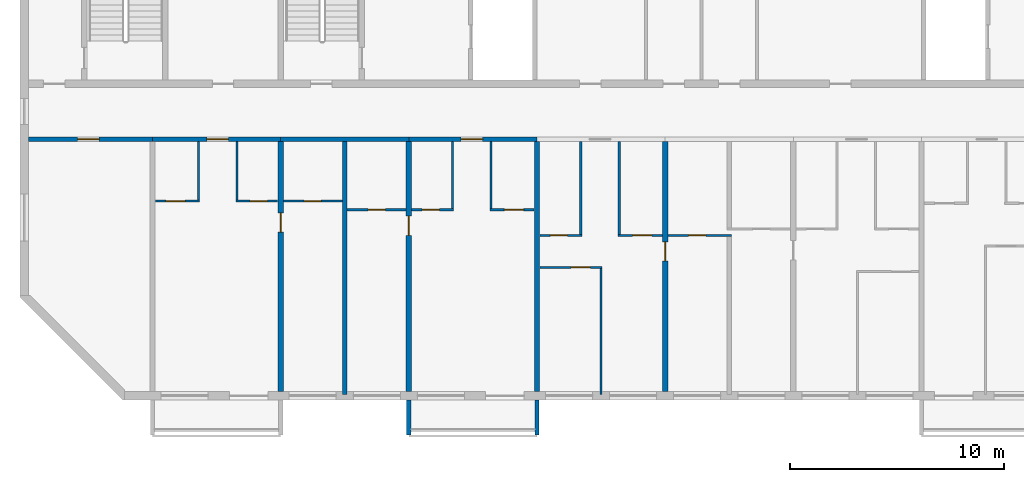
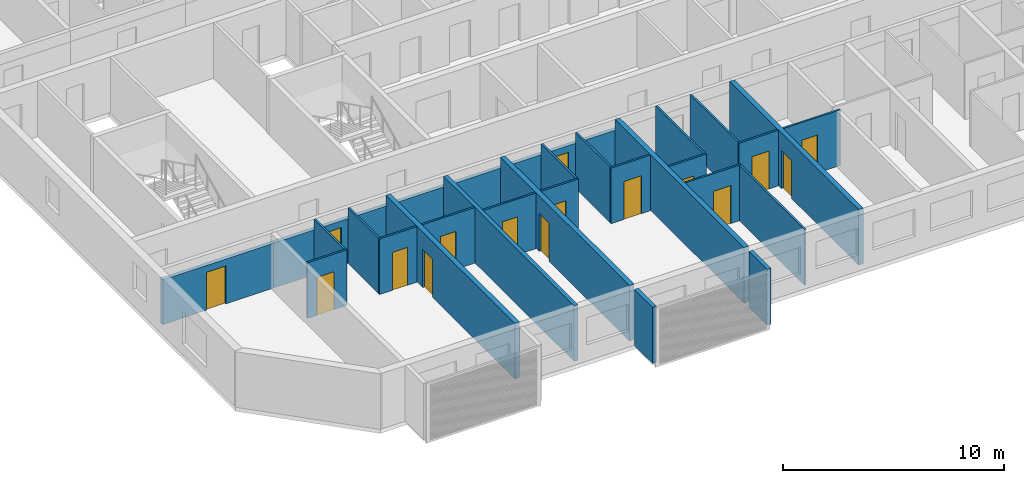
# One storey, part 2 of 26: 28 walls, 16 doors, 16 openings.
"""IFC4 building model written with IfcOpenShell, lengths in metres."""

from ifc_helpers import new_model, si_unit, direction, frame, frame_2d, origin, place, context, subcontext, project, spatial, polyline, rectangle, outline, extrude, source, transform, mapped, material, layer, layer_set, type_object, element, fill, save


model = new_model("IFC4")

# Units and contexts
model_context = context("Model", 3, precision=1e-05, world=origin(), true_north=direction((0.0, 1.0)))
body_context = subcontext(model_context, "Body", "Model", "MODEL_VIEW")
ifc_project = project(units=[si_unit("LENGTHUNIT", "METRE"), si_unit("AREAUNIT", "SQUARE_METRE"), si_unit("VOLUMEUNIT", "CUBIC_METRE"), si_unit("PLANEANGLEUNIT", "RADIAN"), si_unit("MASSUNIT", "GRAM", prefix="KILO")], contexts=[model_context])

# Site, building, storey
site_placement = place(None, origin())
site = spatial("IfcSite", under=ifc_project, at=site_placement, CompositionType="ELEMENT")
building_placement = place(site_placement, origin())
building = spatial("IfcBuilding", under=site, at=building_placement, Name="Poui Terraces", CompositionType="ELEMENT")
storey_placement = place(building_placement, frame((0.0, 0.0, 247.800048828125)))
storey = spatial("IfcBuildingStorey", under=building, at=storey_placement, Name="L69", CompositionType="ELEMENT", Elevation=247.800048828125)

# Wall, opening, door
ifc_material_1 = material(Name="Concrete 50 MPa", Category="concrete")
ifc_layer_1 = layer(ifc_material_1, 0.199951171875)
ifc_layer_set_1 = layer_set([ifc_layer_1], Name="Concrete 50 MPa")
wall_type_1 = type_object("IfcWallType", Name="CORRIDOR WALL 200 50MPa", PredefinedType="SHEAR", material=ifc_layer_set_1)
wall_1_placement = place(storey_placement, frame((18.199951171875, 12.0, 0.0), z_axis=(0.0, 0.0, 1.0), x_axis=(1.0, 0.0, 0.0)))
wall_1 = element("IfcWall", 1, at=wall_1_placement, inside=storey, type_object=wall_type_1, Name="CORRIDOR WALL LINE B BAY 1", PredefinedType="SHEAR", context=body_context, shape_type="SweptSolid", body=[
    extrude(rectangle(XDim=5.800048828125, YDim=0.199951171875, at=frame_2d((2.89990234375, 0.0))), origin(), (0.0, 0.0, 1.0), 2.47998046875),
])
opening_1_placement = place(wall_1_placement, frame((2.300048828125, 0.0, 0.0)))
opening_1 = element("IfcOpeningElement", 2, at=opening_1_placement, cuts=wall_1, Name="Opening D100", PredefinedType="OPENING", context=body_context, shape_type="SweptSolid", body=[
    extrude(rectangle(XDim=1.0, YDim=2.10009765625, at=frame_2d((0.5, 1.050048828125))), frame((0.0, 0.10986328125, 0.0), z_axis=(0.0, -1.0, 0.0), x_axis=(1.0, 0.0, 0.0)), (0.0, 0.0, 1.0), 0.219970703125),
])
ifc_material_2 = material(Name="Solid core timber door", Category="wood")
door_type_1 = type_object("IfcDoorType", Name="ACCESSIBLE INTERNAL DOOR 1000 X 2100", OperationType="NOTDEFINED", PredefinedType="DOOR", material=ifc_material_2)
door_1_placement = place(opening_1_placement, frame((1.0, 0.0, 0.0), z_axis=(0.0, 0.0, 1.0), x_axis=(-1.0, 0.0, 0.0)))
door_1 = element("IfcDoor", 3, at=door_1_placement, inside=storey, type_object=door_type_1, Name="ACCESSIBLE INTERNAL DOOR 061", OperationType="SINGLE_SWING_RIGHT", OverallHeight=2.10009765625, OverallWidth=1.0, PredefinedType="DOOR", context=body_context, shape_type="SweptSolid", body=[
    extrude(rectangle(XDim=1.0, YDim=2.10009765625, at=frame_2d((0.5, 1.050048828125))), frame((0.0, 0.02490234375, 0.0), z_axis=(0.0, -1.0, 0.0), x_axis=(1.0, 0.0, 0.0)), (0.0, 0.0, 1.0), 0.050048828125),
])
fill(opening_1, door_1)

wall_2_placement = place(storey_placement, frame((24.0, 12.0, 0.0), z_axis=(0.0, 0.0, 1.0), x_axis=(1.0, 0.0, 0.0)))
wall_2 = element("IfcWall", 4, at=wall_2_placement, inside=storey, type_object=wall_type_1, Name="CORRIDOR WALL LINE B BAY 2", PredefinedType="SHEAR", context=body_context, shape_type="SweptSolid", body=[
    extrude(rectangle(XDim=6.0, YDim=0.199951171875, at=frame_2d((3.0, 0.0))), origin(), (0.0, 0.0, 1.0), 2.47998046875),
])
opening_2_placement = place(wall_2_placement, frame((2.550048828125, 0.0, 0.0)))
opening_2 = element("IfcOpeningElement", 5, at=opening_2_placement, cuts=wall_2, Name="Opening FD30S", PredefinedType="OPENING", context=body_context, shape_type="SweptSolid", body=[
    extrude(rectangle(XDim=1.0, YDim=2.10009765625, at=frame_2d((0.5, 1.050048828125))), frame((0.0, 0.10986328125, 0.0), z_axis=(0.0, -1.0, 0.0), x_axis=(1.0, 0.0, 0.0)), (0.0, 0.0, 1.0), 0.219970703125),
])
ifc_material_3 = material(Name="Steel fire door", Category="steel")
door_type_2 = type_object("IfcDoorType", Name="FLAT ENTRANCE DOOR 1000 X 2100", OperationType="NOTDEFINED", PredefinedType="DOOR", material=ifc_material_3)
door_2_placement = place(opening_2_placement, frame((1.0, 0.0, 0.0), z_axis=(0.0, 0.0, 1.0), x_axis=(-1.0, 0.0, 0.0)))
door_2 = element("IfcDoor", 6, at=door_2_placement, inside=storey, type_object=door_type_2, Name="FLAT ENTRANCE DOOR 064", OperationType="SINGLE_SWING_LEFT", OverallHeight=2.10009765625, OverallWidth=1.0, PredefinedType="DOOR", context=body_context, shape_type="SweptSolid", body=[
    extrude(rectangle(XDim=1.0, YDim=2.10009765625, at=frame_2d((0.5, 1.050048828125))), frame((0.0, 0.02490234375, 0.0), z_axis=(0.0, -1.0, 0.0), x_axis=(1.0, 0.0, 0.0)), (0.0, 0.0, 1.0), 0.050048828125),
])
fill(opening_2, door_2)

# Wall
wall_3_placement = place(storey_placement, frame((30.0, 12.0, 0.0), z_axis=(0.0, 0.0, 1.0), x_axis=(1.0, 0.0, 0.0)))
element("IfcWall", 7, at=wall_3_placement, inside=storey, type_object=wall_type_1, Name="CORRIDOR WALL LINE B BAY 3", PredefinedType="SHEAR", context=body_context, shape_type="SweptSolid", body=[
    extrude(rectangle(XDim=6.0, YDim=0.199951171875, at=frame_2d((3.0, 0.0))), origin(), (0.0, 0.0, 1.0), 2.47998046875),
])

# Wall, opening, door
wall_4_placement = place(storey_placement, frame((36.0, 12.0, 0.0), z_axis=(0.0, 0.0, 1.0), x_axis=(1.0, 0.0, 0.0)))
wall_4 = element("IfcWall", 8, at=wall_4_placement, inside=storey, type_object=wall_type_1, Name="CORRIDOR WALL LINE B BAY 4", PredefinedType="SHEAR", context=body_context, shape_type="SweptSolid", body=[
    extrude(rectangle(XDim=6.0, YDim=0.199951171875, at=frame_2d((3.0, 0.0))), origin(), (0.0, 0.0, 1.0), 2.47998046875),
])
opening_3_placement = place(wall_4_placement, frame((2.449951171875, 0.0, 0.0)))
opening_3 = element("IfcOpeningElement", 9, at=opening_3_placement, cuts=wall_4, Name="Opening FD30S", PredefinedType="OPENING", context=body_context, shape_type="SweptSolid", body=[
    extrude(rectangle(XDim=1.0, YDim=2.10009765625, at=frame_2d((0.5, 1.050048828125))), frame((0.0, 0.10986328125, 0.0), z_axis=(0.0, -1.0, 0.0), x_axis=(1.0, 0.0, 0.0)), (0.0, 0.0, 1.0), 0.219970703125),
])
door_3_placement = place(opening_3_placement, frame((1.0, 0.0, 0.0), z_axis=(0.0, 0.0, 1.0), x_axis=(-1.0, 0.0, 0.0)))
door_3 = element("IfcDoor", 10, at=door_3_placement, inside=storey, type_object=door_type_2, Name="FLAT ENTRANCE DOOR 070", OperationType="SINGLE_SWING_RIGHT", OverallHeight=2.10009765625, OverallWidth=1.0, PredefinedType="DOOR", context=body_context, shape_type="SweptSolid", body=[
    extrude(rectangle(XDim=1.0, YDim=2.10009765625, at=frame_2d((0.5, 1.050048828125))), frame((0.0, 0.02490234375, 0.0), z_axis=(0.0, -1.0, 0.0), x_axis=(1.0, 0.0, 0.0)), (0.0, 0.0, 1.0), 0.050048828125),
])
fill(opening_3, door_3)

ifc_layer_2 = layer(ifc_material_1, 0.25)
ifc_layer_set_2 = layer_set([ifc_layer_2], Name="Concrete 50 MPa")
wall_type_2 = type_object("IfcWallType", Name="CROSS WALL 250 50MPa", PredefinedType="SHEAR", material=ifc_layer_set_2)
wall_5_placement = place(storey_placement, frame((30.0, 0.199951171875, 0.0), z_axis=(0.0, 0.0, 1.0), x_axis=(0.0, 1.0, 0.0)))
wall_5 = element("IfcWall", 11, at=wall_5_placement, inside=storey, type_object=wall_type_2, Name="CROSS WALL LINE 6 SOUTH", PredefinedType="SHEAR", context=body_context, shape_type="SweptSolid", body=[
    extrude(rectangle(XDim=11.699951171875, YDim=0.25, at=frame_2d((5.85009765625, 0.0))), origin(), (0.0, 0.0, 1.0), 3.079833984375),
])
opening_4_placement = place(wall_5_placement, frame((7.449951171875, 0.0, 0.0)))
opening_4 = element("IfcOpeningElement", 12, at=opening_4_placement, cuts=wall_5, Name="Opening D90", PredefinedType="OPENING", context=body_context, shape_type="SweptSolid", body=[
    extrude(rectangle(XDim=0.89990234375, YDim=2.10009765625, at=frame_2d((0.449951171875, 1.050048828125))), frame((0.0, 0.135009765625, 0.0), z_axis=(0.0, -1.0, 0.0), x_axis=(1.0, 0.0, 0.0)), (0.0, 0.0, 1.0), 0.27001953125),
])
door_type_3 = type_object("IfcDoorType", Name="INTERNAL DOOR 900 X 2100", OperationType="NOTDEFINED", PredefinedType="DOOR", material=ifc_material_2)
door_4_placement = place(opening_4_placement, frame((0.89990234375, 0.0, 0.0), z_axis=(0.0, 0.0, 1.0), x_axis=(-1.0, 0.0, 0.0)))
door_4 = element("IfcDoor", 13, at=door_4_placement, inside=storey, type_object=door_type_3, Name="INTERNAL DOOR 066", OperationType="SINGLE_SWING_LEFT", OverallHeight=2.10009765625, OverallWidth=0.89990234375, PredefinedType="DOOR", context=body_context, shape_type="SweptSolid", body=[
    extrude(rectangle(XDim=0.89990234375, YDim=2.10009765625, at=frame_2d((0.449951171875, 1.050048828125))), frame((0.0, 0.02490234375, 0.0), z_axis=(0.0, -1.0, 0.0), x_axis=(1.0, 0.0, 0.0)), (0.0, 0.0, 1.0), 0.050048828125),
])
fill(opening_4, door_4)

wall_6_placement = place(storey_placement, frame((36.0, 0.199951171875, 0.0), z_axis=(0.0, 0.0, 1.0), x_axis=(0.0, 1.0, 0.0)))
wall_6 = element("IfcWall", 14, at=wall_6_placement, inside=storey, type_object=wall_type_2, Name="CROSS WALL LINE 7 SOUTH", PredefinedType="SHEAR", context=body_context, shape_type="SweptSolid", body=[
    extrude(rectangle(XDim=11.699951171875, YDim=0.25, at=frame_2d((5.85009765625, 0.0))), origin(), (0.0, 0.0, 1.0), 3.079833984375),
])
opening_5_placement = place(wall_6_placement, frame((7.300048828125, 0.0, 0.0)))
opening_5 = element("IfcOpeningElement", 15, at=opening_5_placement, cuts=wall_6, Name="Opening D90", PredefinedType="OPENING", context=body_context, shape_type="SweptSolid", body=[
    extrude(rectangle(XDim=0.89990234375, YDim=2.10009765625, at=frame_2d((0.449951171875, 1.050048828125))), frame((0.0, 0.135009765625, 0.0), z_axis=(0.0, -1.0, 0.0), x_axis=(1.0, 0.0, 0.0)), (0.0, 0.0, 1.0), 0.27001953125),
])
door_5_placement = place(opening_5_placement, origin())
door_5 = element("IfcDoor", 16, at=door_5_placement, inside=storey, type_object=door_type_3, Name="INTERNAL DOOR 068", OperationType="SINGLE_SWING_RIGHT", OverallHeight=2.10009765625, OverallWidth=0.89990234375, PredefinedType="DOOR", context=body_context, shape_type="SweptSolid", body=[
    extrude(rectangle(XDim=0.89990234375, YDim=2.10009765625, at=frame_2d((0.449951171875, 1.050048828125))), frame((0.0, 0.02490234375, 0.0), z_axis=(0.0, -1.0, 0.0), x_axis=(1.0, 0.0, 0.0)), (0.0, 0.0, 1.0), 0.050048828125),
])
fill(opening_5, door_5)

# Wall
wall_7_placement = place(storey_placement, frame((42.0, 0.199951171875, 0.0), z_axis=(0.0, 0.0, 1.0), x_axis=(0.0, 1.0, 0.0)))
element("IfcWall", 17, at=wall_7_placement, inside=storey, type_object=wall_type_2, Name="CROSS WALL LINE 8 SOUTH", PredefinedType="SHEAR", context=body_context, shape_type="SweptSolid", body=[
    extrude(rectangle(XDim=11.699951171875, YDim=0.25, at=frame_2d((5.85009765625, 0.0))), origin(), (0.0, 0.0, 1.0), 3.079833984375),
])

# Wall, opening, door
wall_8_placement = place(storey_placement, frame((48.0, 0.199951171875, 0.0), z_axis=(0.0, 0.0, 1.0), x_axis=(0.0, 1.0, 0.0)))
wall_8 = element("IfcWall", 18, at=wall_8_placement, inside=storey, type_object=wall_type_2, Name="CROSS WALL LINE 9 SOUTH", PredefinedType="SHEAR", context=body_context, shape_type="SweptSolid", body=[
    extrude(rectangle(XDim=11.699951171875, YDim=0.25, at=frame_2d((5.85009765625, 0.0))), origin(), (0.0, 0.0, 1.0), 3.079833984375),
])
opening_6_placement = place(wall_8_placement, frame((6.10009765625, 0.0, 0.0)))
opening_6 = element("IfcOpeningElement", 19, at=opening_6_placement, cuts=wall_8, Name="Opening D90", PredefinedType="OPENING", context=body_context, shape_type="SweptSolid", body=[
    extrude(rectangle(XDim=0.89990234375, YDim=2.10009765625, at=frame_2d((0.449951171875, 1.050048828125))), frame((0.0, 0.135009765625, 0.0), z_axis=(0.0, -1.0, 0.0), x_axis=(1.0, 0.0, 0.0)), (0.0, 0.0, 1.0), 0.27001953125),
])
door_6_placement = place(opening_6_placement, frame((0.89990234375, 0.0, 0.0), z_axis=(0.0, 0.0, 1.0), x_axis=(-1.0, 0.0, 0.0)))
door_6 = element("IfcDoor", 20, at=door_6_placement, inside=storey, type_object=door_type_3, Name="INTERNAL DOOR 077", OperationType="SINGLE_SWING_LEFT", OverallHeight=2.10009765625, OverallWidth=0.89990234375, PredefinedType="DOOR", context=body_context, shape_type="SweptSolid", body=[
    extrude(rectangle(XDim=0.89990234375, YDim=2.10009765625, at=frame_2d((0.449951171875, 1.050048828125))), frame((0.0, 0.02490234375, 0.0), z_axis=(0.0, -1.0, 0.0), x_axis=(1.0, 0.0, 0.0)), (0.0, 0.0, 1.0), 0.050048828125),
])
fill(opening_6, door_6)

ifc_material_4 = material(Name="Plasterboard partition")
ifc_layer_3 = layer(ifc_material_4, 0.10009765625)
ifc_layer_set_3 = layer_set([ifc_layer_3], Name="Plasterboard partition")
wall_type_3 = type_object("IfcWallType", Name="FLAT PARTITION 100", PredefinedType="PARTITIONING", material=ifc_layer_set_3)
wall_9_placement = place(storey_placement, frame((42.135009765625, 6.0, 0.0), z_axis=(0.0, 0.0, 1.0), x_axis=(1.0, 0.0, 0.0)))
wall_9 = element("IfcWall", 21, at=wall_9_placement, inside=storey, type_object=wall_type_3, Name="FLAT PARTITION 100", PredefinedType="PARTITIONING", context=body_context, shape_type="SweptSolid", body=[
    extrude(rectangle(XDim=2.9150390625, YDim=0.10009765625, at=frame_2d((1.45751953125, 0.0))), origin(), (0.0, 0.0, 1.0), 3.079833984375),
])
opening_7_placement = place(wall_9_placement, frame((1.465087890625, 0.0, 0.0)))
opening_7 = element("IfcOpeningElement", 22, at=opening_7_placement, cuts=wall_9, Name="Opening D90", PredefinedType="OPENING", context=body_context, shape_type="SweptSolid", body=[
    extrude(rectangle(XDim=0.89990234375, YDim=2.10009765625, at=frame_2d((0.449951171875, 1.050048828125))), frame((0.0, 0.06005859375, 0.0), z_axis=(0.0, -1.0, 0.0), x_axis=(1.0, 0.0, 0.0)), (0.0, 0.0, 1.0), 0.1201171875),
])
door_7_placement = place(opening_7_placement, origin())
door_7 = element("IfcDoor", 23, at=door_7_placement, inside=storey, type_object=door_type_3, Name="INTERNAL DOOR 074", OperationType="SINGLE_SWING_LEFT", OverallHeight=2.10009765625, OverallWidth=0.89990234375, PredefinedType="DOOR", context=body_context, shape_type="SweptSolid", body=[
    extrude(rectangle(XDim=0.89990234375, YDim=2.10009765625, at=frame_2d((0.449951171875, 1.050048828125))), frame((0.0, 0.02490234375, 0.0), z_axis=(0.0, -1.0, 0.0), x_axis=(1.0, 0.0, 0.0)), (0.0, 0.0, 1.0), 0.050048828125),
])
fill(opening_7, door_7)

wall_10_placement = place(storey_placement, frame((42.135009765625, 7.5, 0.0), z_axis=(0.0, 0.0, 1.0), x_axis=(1.0, 0.0, 0.0)))
wall_10 = element("IfcWall", 24, at=wall_10_placement, inside=storey, type_object=wall_type_3, Name="FLAT PARTITION 100", PredefinedType="PARTITIONING", context=body_context, shape_type="SweptSolid", body=[
    extrude(rectangle(XDim=1.965087890625, YDim=0.10009765625, at=frame_2d((0.982421875, 0.0))), origin(), (0.0, 0.0, 1.0), 3.079833984375),
])
opening_8_placement = place(wall_10_placement, frame((0.489990234375, 0.0, 0.0)))
opening_8 = element("IfcOpeningElement", 25, at=opening_8_placement, cuts=wall_10, Name="Opening D80", PredefinedType="OPENING", context=body_context, shape_type="SweptSolid", body=[
    extrude(rectangle(XDim=0.800048828125, YDim=2.10009765625, at=frame_2d((0.39990234375, 1.050048828125))), frame((0.0, 0.06005859375, 0.0), z_axis=(0.0, -1.0, 0.0), x_axis=(1.0, 0.0, 0.0)), (0.0, 0.0, 1.0), 0.1201171875),
])
door_type_4 = type_object("IfcDoorType", Name="BATHROOM, LAUNDRY AND STORE DOOR 800 X 2100", OperationType="NOTDEFINED", PredefinedType="DOOR", material=ifc_material_2)
door_8_placement = place(opening_8_placement, origin())
door_8 = element("IfcDoor", 26, at=door_8_placement, inside=storey, type_object=door_type_4, Name="BATHROOM, LAUNDRY AND STORE DOOR 073", OperationType="SINGLE_SWING_RIGHT", OverallHeight=2.10009765625, OverallWidth=0.800048828125, PredefinedType="DOOR", context=body_context, shape_type="SweptSolid", body=[
    extrude(rectangle(XDim=0.800048828125, YDim=2.10009765625, at=frame_2d((0.39990234375, 1.050048828125))), frame((0.0, 0.02490234375, 0.0), z_axis=(0.0, -1.0, 0.0), x_axis=(1.0, 0.0, 0.0)), (0.0, 0.0, 1.0), 0.050048828125),
])
fill(opening_8, door_8)

wall_11_placement = place(storey_placement, frame((45.800048828125, 7.5, 0.0), z_axis=(0.0, 0.0, 1.0), x_axis=(1.0, 0.0, 0.0)))
wall_11 = element("IfcWall", 27, at=wall_11_placement, inside=storey, type_object=wall_type_3, Name="FLAT PARTITION 100", PredefinedType="PARTITIONING", context=body_context, shape_type="SweptSolid", body=[
    extrude(rectangle(XDim=2.06494140625, YDim=0.10009765625, at=frame_2d((1.032470703125, 0.0))), origin(), (0.0, 0.0, 1.0), 3.079833984375),
])
opening_9_placement = place(wall_11_placement, frame((0.675048828125, 0.0, 0.0)))
opening_9 = element("IfcOpeningElement", 28, at=opening_9_placement, cuts=wall_11, Name="Opening D90", PredefinedType="OPENING", context=body_context, shape_type="SweptSolid", body=[
    extrude(rectangle(XDim=0.89990234375, YDim=2.10009765625, at=frame_2d((0.449951171875, 1.050048828125))), frame((0.0, 0.06005859375, 0.0), z_axis=(0.0, -1.0, 0.0), x_axis=(1.0, 0.0, 0.0)), (0.0, 0.0, 1.0), 0.1201171875),
])
door_9_placement = place(opening_9_placement, origin())
door_9 = element("IfcDoor", 29, at=door_9_placement, inside=storey, type_object=door_type_3, Name="INTERNAL DOOR 076", OperationType="SINGLE_SWING_LEFT", OverallHeight=2.10009765625, OverallWidth=0.89990234375, PredefinedType="DOOR", context=body_context, shape_type="SweptSolid", body=[
    extrude(rectangle(XDim=0.89990234375, YDim=2.10009765625, at=frame_2d((0.449951171875, 1.050048828125))), frame((0.0, 0.02490234375, 0.0), z_axis=(0.0, -1.0, 0.0), x_axis=(1.0, 0.0, 0.0)), (0.0, 0.0, 1.0), 0.050048828125),
])
fill(opening_9, door_9)

wall_12_placement = place(storey_placement, frame((48.135009765625, 7.5, 0.0), z_axis=(0.0, 0.0, 1.0), x_axis=(1.0, 0.0, 0.0)))
wall_12 = element("IfcWall", 30, at=wall_12_placement, inside=storey, type_object=wall_type_3, Name="FLAT PARTITION 100", PredefinedType="PARTITIONING", context=body_context, shape_type="SweptSolid", body=[
    extrude(rectangle(XDim=2.965087890625, YDim=0.10009765625, at=frame_2d((1.482421875, 0.0))), origin(), (0.0, 0.0, 1.0), 3.079833984375),
])
opening_10_placement = place(wall_12_placement, frame((0.965087890625, 0.0, 0.0)))
opening_10 = element("IfcOpeningElement", 31, at=opening_10_placement, cuts=wall_12, Name="Opening D80", PredefinedType="OPENING", context=body_context, shape_type="SweptSolid", body=[
    extrude(rectangle(XDim=0.800048828125, YDim=2.10009765625, at=frame_2d((0.39990234375, 1.050048828125))), frame((0.0, 0.06005859375, 0.0), z_axis=(0.0, -1.0, 0.0), x_axis=(1.0, 0.0, 0.0)), (0.0, 0.0, 1.0), 0.1201171875),
])
door_10_placement = place(opening_10_placement, origin())
door_10 = element("IfcDoor", 32, at=door_10_placement, inside=storey, type_object=door_type_4, Name="BATHROOM, LAUNDRY AND STORE DOOR 072", OperationType="SINGLE_SWING_RIGHT", OverallHeight=2.10009765625, OverallWidth=0.800048828125, PredefinedType="DOOR", context=body_context, shape_type="SweptSolid", body=[
    extrude(rectangle(XDim=0.800048828125, YDim=2.10009765625, at=frame_2d((0.39990234375, 1.050048828125))), frame((0.0, 0.02490234375, 0.0), z_axis=(0.0, -1.0, 0.0), x_axis=(1.0, 0.0, 0.0)), (0.0, 0.0, 1.0), 0.050048828125),
])
fill(opening_10, door_10)

wall_13_placement = place(storey_placement, frame((33.10009765625, 8.699951171875, 0.0), z_axis=(0.0, 0.0, 1.0), x_axis=(1.0, 0.0, 0.0)))
wall_13 = element("IfcWall", 33, at=wall_13_placement, inside=storey, type_object=wall_type_3, Name="FLAT PARTITION 100", PredefinedType="PARTITIONING", context=body_context, shape_type="SweptSolid", body=[
    extrude(rectangle(XDim=2.764892578125, YDim=0.10009765625, at=frame_2d((1.38232421875, 0.0))), origin(), (0.0, 0.0, 1.0), 3.079833984375),
])
opening_11_placement = place(wall_13_placement, frame((1.0, 0.0, 0.0)))
opening_11 = element("IfcOpeningElement", 34, at=opening_11_placement, cuts=wall_13, Name="Opening D80", PredefinedType="OPENING", context=body_context, shape_type="SweptSolid", body=[
    extrude(rectangle(XDim=0.800048828125, YDim=2.10009765625, at=frame_2d((0.39990234375, 1.050048828125))), frame((0.0, 0.06005859375, 0.0), z_axis=(0.0, -1.0, 0.0), x_axis=(1.0, 0.0, 0.0)), (0.0, 0.0, 1.0), 0.1201171875),
])
door_11_placement = place(opening_11_placement, origin())
door_11 = element("IfcDoor", 35, at=door_11_placement, inside=storey, type_object=door_type_4, Name="BATHROOM, LAUNDRY AND STORE DOOR 067", OperationType="SINGLE_SWING_LEFT", OverallHeight=2.10009765625, OverallWidth=0.800048828125, PredefinedType="DOOR", context=body_context, shape_type="SweptSolid", body=[
    extrude(rectangle(XDim=0.800048828125, YDim=2.10009765625, at=frame_2d((0.39990234375, 1.050048828125))), frame((0.0, 0.02490234375, 0.0), z_axis=(0.0, -1.0, 0.0), x_axis=(1.0, 0.0, 0.0)), (0.0, 0.0, 1.0), 0.050048828125),
])
fill(opening_11, door_11)

wall_14_placement = place(storey_placement, frame((36.135009765625, 8.699951171875, 0.0), z_axis=(0.0, 0.0, 1.0), x_axis=(1.0, 0.0, 0.0)))
wall_14 = element("IfcWall", 36, at=wall_14_placement, inside=storey, type_object=wall_type_3, Name="FLAT PARTITION 100", PredefinedType="PARTITIONING", context=body_context, shape_type="SweptSolid", body=[
    extrude(rectangle(XDim=1.965087890625, YDim=0.10009765625, at=frame_2d((0.982421875, 0.0))), origin(), (0.0, 0.0, 1.0), 3.079833984375),
])
opening_12_placement = place(wall_14_placement, frame((0.489990234375, 0.0, 0.0)))
opening_12 = element("IfcOpeningElement", 37, at=opening_12_placement, cuts=wall_14, Name="Opening D80", PredefinedType="OPENING", context=body_context, shape_type="SweptSolid", body=[
    extrude(rectangle(XDim=0.800048828125, YDim=2.10009765625, at=frame_2d((0.39990234375, 1.050048828125))), frame((0.0, 0.06005859375, 0.0), z_axis=(0.0, -1.0, 0.0), x_axis=(1.0, 0.0, 0.0)), (0.0, 0.0, 1.0), 0.1201171875),
])
door_12_placement = place(opening_12_placement, origin())
door_12 = element("IfcDoor", 38, at=door_12_placement, inside=storey, type_object=door_type_4, Name="BATHROOM, LAUNDRY AND STORE DOOR 069", OperationType="SINGLE_SWING_RIGHT", OverallHeight=2.10009765625, OverallWidth=0.800048828125, PredefinedType="DOOR", context=body_context, shape_type="SweptSolid", body=[
    extrude(rectangle(XDim=0.800048828125, YDim=2.10009765625, at=frame_2d((0.39990234375, 1.050048828125))), frame((0.0, 0.02490234375, 0.0), z_axis=(0.0, -1.0, 0.0), x_axis=(1.0, 0.0, 0.0)), (0.0, 0.0, 1.0), 0.050048828125),
])
fill(opening_12, door_12)

wall_15_placement = place(storey_placement, frame((39.800048828125, 8.699951171875, 0.0), z_axis=(0.0, 0.0, 1.0), x_axis=(1.0, 0.0, 0.0)))
wall_15 = element("IfcWall", 39, at=wall_15_placement, inside=storey, type_object=wall_type_3, Name="FLAT PARTITION 100", PredefinedType="PARTITIONING", context=body_context, shape_type="SweptSolid", body=[
    extrude(rectangle(XDim=2.06494140625, YDim=0.10009765625, at=frame_2d((1.032470703125, 0.0))), origin(), (0.0, 0.0, 1.0), 3.079833984375),
])
opening_13_placement = place(wall_15_placement, frame((0.675048828125, 0.0, 0.0)))
opening_13 = element("IfcOpeningElement", 40, at=opening_13_placement, cuts=wall_15, Name="Opening D90", PredefinedType="OPENING", context=body_context, shape_type="SweptSolid", body=[
    extrude(rectangle(XDim=0.89990234375, YDim=2.10009765625, at=frame_2d((0.449951171875, 1.050048828125))), frame((0.0, 0.06005859375, 0.0), z_axis=(0.0, -1.0, 0.0), x_axis=(1.0, 0.0, 0.0)), (0.0, 0.0, 1.0), 0.1201171875),
])
door_13_placement = place(opening_13_placement, origin())
door_13 = element("IfcDoor", 41, at=door_13_placement, inside=storey, type_object=door_type_3, Name="INTERNAL DOOR 071", OperationType="SINGLE_SWING_LEFT", OverallHeight=2.10009765625, OverallWidth=0.89990234375, PredefinedType="DOOR", context=body_context, shape_type="SweptSolid", body=[
    extrude(rectangle(XDim=0.89990234375, YDim=2.10009765625, at=frame_2d((0.449951171875, 1.050048828125))), frame((0.0, 0.02490234375, 0.0), z_axis=(0.0, -1.0, 0.0), x_axis=(1.0, 0.0, 0.0)), (0.0, 0.0, 1.0), 0.050048828125),
])
fill(opening_13, door_13)

wall_16_placement = place(storey_placement, frame((24.135009765625, 9.10009765625, 0.0), z_axis=(0.0, 0.0, 1.0), x_axis=(1.0, 0.0, 0.0)))
wall_16 = element("IfcWall", 42, at=wall_16_placement, inside=storey, type_object=wall_type_3, Name="FLAT PARTITION 100", PredefinedType="PARTITIONING", context=body_context, shape_type="SweptSolid", body=[
    extrude(rectangle(XDim=2.06494140625, YDim=0.10009765625, at=frame_2d((1.032470703125, 0.0))), origin(), (0.0, 0.0, 1.0), 3.079833984375),
])
opening_14_placement = place(wall_16_placement, frame((0.489990234375, 0.0, 0.0)))
opening_14 = element("IfcOpeningElement", 43, at=opening_14_placement, cuts=wall_16, Name="Opening D90", PredefinedType="OPENING", context=body_context, shape_type="SweptSolid", body=[
    extrude(rectangle(XDim=0.89990234375, YDim=2.10009765625, at=frame_2d((0.449951171875, 1.050048828125))), frame((0.0, 0.06005859375, 0.0), z_axis=(0.0, -1.0, 0.0), x_axis=(1.0, 0.0, 0.0)), (0.0, 0.0, 1.0), 0.1201171875),
])
door_14_placement = place(opening_14_placement, origin())
door_14 = element("IfcDoor", 44, at=door_14_placement, inside=storey, type_object=door_type_3, Name="INTERNAL DOOR 063", OperationType="SINGLE_SWING_LEFT", OverallHeight=2.10009765625, OverallWidth=0.89990234375, PredefinedType="DOOR", context=body_context, shape_type="SweptSolid", body=[
    extrude(rectangle(XDim=0.89990234375, YDim=2.10009765625, at=frame_2d((0.449951171875, 1.050048828125))), frame((0.0, 0.02490234375, 0.0), z_axis=(0.0, -1.0, 0.0), x_axis=(1.0, 0.0, 0.0)), (0.0, 0.0, 1.0), 0.050048828125),
])
fill(opening_14, door_14)

wall_17_placement = place(storey_placement, frame((27.89990234375, 9.10009765625, 0.0), z_axis=(0.0, 0.0, 1.0), x_axis=(1.0, 0.0, 0.0)))
wall_17 = element("IfcWall", 45, at=wall_17_placement, inside=storey, type_object=wall_type_3, Name="FLAT PARTITION 100", PredefinedType="PARTITIONING", context=body_context, shape_type="SweptSolid", body=[
    extrude(rectangle(XDim=1.965087890625, YDim=0.10009765625, at=frame_2d((0.982421875, 0.0))), origin(), (0.0, 0.0, 1.0), 3.079833984375),
])
opening_15_placement = place(wall_17_placement, frame((0.675048828125, 0.0, 0.0)))
opening_15 = element("IfcOpeningElement", 46, at=opening_15_placement, cuts=wall_17, Name="Opening D80", PredefinedType="OPENING", context=body_context, shape_type="SweptSolid", body=[
    extrude(rectangle(XDim=0.800048828125, YDim=2.10009765625, at=frame_2d((0.39990234375, 1.050048828125))), frame((0.0, 0.06005859375, 0.0), z_axis=(0.0, -1.0, 0.0), x_axis=(1.0, 0.0, 0.0)), (0.0, 0.0, 1.0), 0.1201171875),
])
door_15_placement = place(opening_15_placement, origin())
door_15 = element("IfcDoor", 47, at=door_15_placement, inside=storey, type_object=door_type_4, Name="BATHROOM, LAUNDRY AND STORE DOOR 065", OperationType="SINGLE_SWING_RIGHT", OverallHeight=2.10009765625, OverallWidth=0.800048828125, PredefinedType="DOOR", context=body_context, shape_type="SweptSolid", body=[
    extrude(rectangle(XDim=0.800048828125, YDim=2.10009765625, at=frame_2d((0.39990234375, 1.050048828125))), frame((0.0, 0.02490234375, 0.0), z_axis=(0.0, -1.0, 0.0), x_axis=(1.0, 0.0, 0.0)), (0.0, 0.0, 1.0), 0.050048828125),
])
fill(opening_15, door_15)

wall_18_placement = place(storey_placement, frame((30.135009765625, 9.10009765625, 0.0), z_axis=(0.0, 0.0, 1.0), x_axis=(1.0, 0.0, 0.0)))
wall_18 = element("IfcWall", 48, at=wall_18_placement, inside=storey, type_object=wall_type_3, Name="FLAT PARTITION 100", PredefinedType="PARTITIONING", context=body_context, shape_type="SweptSolid", body=[
    extrude(rectangle(XDim=2.764892578125, YDim=0.10009765625, at=frame_2d((1.38232421875, 0.0))), origin(), (0.0, 0.0, 1.0), 3.079833984375),
])
opening_16_placement = place(wall_18_placement, frame((0.965087890625, 0.0, 0.0)))
opening_16 = element("IfcOpeningElement", 49, at=opening_16_placement, cuts=wall_18, Name="Opening D80", PredefinedType="OPENING", context=body_context, shape_type="SweptSolid", body=[
    extrude(rectangle(XDim=0.800048828125, YDim=2.10009765625, at=frame_2d((0.39990234375, 1.050048828125))), frame((0.0, 0.06005859375, 0.0), z_axis=(0.0, -1.0, 0.0), x_axis=(1.0, 0.0, 0.0)), (0.0, 0.0, 1.0), 0.1201171875),
])
door_16_placement = place(opening_16_placement, origin())
door_16 = element("IfcDoor", 50, at=door_16_placement, inside=storey, type_object=door_type_4, Name="BATHROOM, LAUNDRY AND STORE DOOR 062", OperationType="SINGLE_SWING_RIGHT", OverallHeight=2.10009765625, OverallWidth=0.800048828125, PredefinedType="DOOR", context=body_context, shape_type="SweptSolid", body=[
    extrude(rectangle(XDim=0.800048828125, YDim=2.10009765625, at=frame_2d((0.39990234375, 1.050048828125))), frame((0.0, 0.02490234375, 0.0), z_axis=(0.0, -1.0, 0.0), x_axis=(1.0, 0.0, 0.0)), (0.0, 0.0, 1.0), 0.050048828125),
])
fill(opening_16, door_16)

# Walls
for number, where, z_axis, x_axis, name in (
    (51, (26.14990234375, 9.14990234375, 0.0), (0.0, 0.0, 1.0), (0.0, 1.0, 0.0), "FLAT PARTITION 100"),
    (52, (27.949951171875, 9.14990234375, 0.0), (0.0, 0.0, 1.0), (0.0, 1.0, 0.0), "FLAT PARTITION 100"),
):
    element("IfcWall", number, at=place(storey_placement, frame(where, z_axis=z_axis, x_axis=x_axis)), inside=storey, type_object=wall_type_3, Name=name, PredefinedType="PARTITIONING", context=body_context, shape_type="SweptSolid", body=[
        extrude(rectangle(XDim=2.739990234375, YDim=0.10009765625, at=frame_2d((1.3701171875, 0.0))), origin(), (0.0, 0.0, 1.0), 3.079833984375),
    ])
for number, where, z_axis, x_axis, name in (
    (53, (38.050048828125, 8.75, 0.0), (0.0, 0.0, 1.0), (0.0, 1.0, 0.0), "FLAT PARTITION 100"),
    (54, (39.85009765625, 8.75, 0.0), (0.0, 0.0, 1.0), (0.0, 1.0, 0.0), "FLAT PARTITION 100"),
):
    element("IfcWall", number, at=place(storey_placement, frame(where, z_axis=z_axis, x_axis=x_axis)), inside=storey, type_object=wall_type_3, Name=name, PredefinedType="PARTITIONING", context=body_context, shape_type="SweptSolid", body=[
        extrude(rectangle(XDim=3.139892578125, YDim=0.10009765625, at=frame_2d((1.56982421875, 0.0))), origin(), (0.0, 0.0, 1.0), 3.079833984375),
    ])
wall_19_placement = place(storey_placement, frame((44.050048828125, 7.550048828125, 0.0), z_axis=(0.0, 0.0, 1.0), x_axis=(0.0, 1.0, 0.0)))
element("IfcWall", 55, at=wall_19_placement, inside=storey, type_object=wall_type_3, Name="FLAT PARTITION 100", PredefinedType="PARTITIONING", context=body_context, shape_type="SweptSolid", body=[
    extrude(rectangle(XDim=4.33984375, YDim=0.10009765625, at=frame_2d((2.169921875, 0.0))), origin(), (0.0, 0.0, 1.0), 3.079833984375),
])
wall_20_placement = place(storey_placement, frame((45.0, 0.06005859375, 0.0), z_axis=(0.0, 0.0, 1.0), x_axis=(0.0, 1.0, 0.0)))
element("IfcWall", 56, at=wall_20_placement, inside=storey, type_object=wall_type_3, Name="FLAT PARTITION 100", PredefinedType="PARTITIONING", context=body_context, shape_type="SweptSolid", body=[
    extrude(rectangle(XDim=5.889892578125, YDim=0.10009765625, at=frame_2d((2.94482421875, 0.0))), origin(), (0.0, 0.0, 1.0), 3.079833984375),
])
wall_21_placement = place(storey_placement, frame((45.85009765625, 7.550048828125, 0.0), z_axis=(0.0, 0.0, 1.0), x_axis=(0.0, 1.0, 0.0)))
element("IfcWall", 57, at=wall_21_placement, inside=storey, type_object=wall_type_3, Name="FLAT PARTITION 100", PredefinedType="PARTITIONING", context=body_context, shape_type="SweptSolid", body=[
    extrude(rectangle(XDim=4.33984375, YDim=0.10009765625, at=frame_2d((2.169921875, 0.0))), origin(), (0.0, 0.0, 1.0), 3.079833984375),
])
ifc_material_5 = material(Name="Fire-rated masonry wall", Category="masonry")
ifc_layer_4 = layer(ifc_material_5, 0.199951171875)
ifc_layer_set_4 = layer_set([ifc_layer_4], Name="Fire-rated masonry wall")
wall_type_4 = type_object("IfcWallType", Name="FLAT PARTY WALL 200", PredefinedType="PARTITIONING", material=ifc_layer_set_4)
wall_22_placement = place(storey_placement, frame((33.0, 0.06005859375, 0.0), z_axis=(0.0, 0.0, 1.0), x_axis=(0.0, 1.0, 0.0)))
element("IfcWall", 58, at=wall_22_placement, inside=storey, type_object=wall_type_4, Name="FLAT PARTY WALL 200", PredefinedType="PARTITIONING", context=body_context, shape_type="SweptSolid", body=[
    extrude(rectangle(XDim=11.829833984375, YDim=0.199951171875, at=frame_2d((5.9150390625, 0.0))), origin(), (0.0, 0.0, 1.0), 3.079833984375),
])
ifc_material_6 = material(Name="Precast concrete 40 MPa", Category="concrete")
ifc_layer_5 = layer(ifc_material_6, 0.199951171875)
ifc_layer_set_5 = layer_set([ifc_layer_5], Name="Precast concrete 40 MPa")
wall_type_5 = type_object("IfcWallType", Name="REAR FIN 200", PredefinedType="STANDARD", material=ifc_layer_set_5)
shared_shape = source(origin(), body_context, "Body", "SweptSolid", [
    extrude(outline(polyline([(0.0, 0.0), (0.2001953125, 0.0), (0.2001953125, 1.650146484375), (0.0, 1.650146484375), (0.0, 0.0)])), origin(), (0.0, 0.0, 1.0), 3.099853515625),
])
for number, where, name in (
    (59, (35.89990234375, -1.85009765625, 0.0), "REAR FIN"),
    (60, (41.89990234375, -1.85009765625, 0.0), "REAR FIN"),
):
    element("IfcWall", number, at=place(storey_placement, frame(where)), inside=storey, type_object=wall_type_5, Name=name, PredefinedType="STANDARD", context=body_context, shape_type="MappedRepresentation", body=[
        mapped(shared_shape, transform((0.0, 0.0, 0.0))),
    ])

save(model, "model.ifc")
